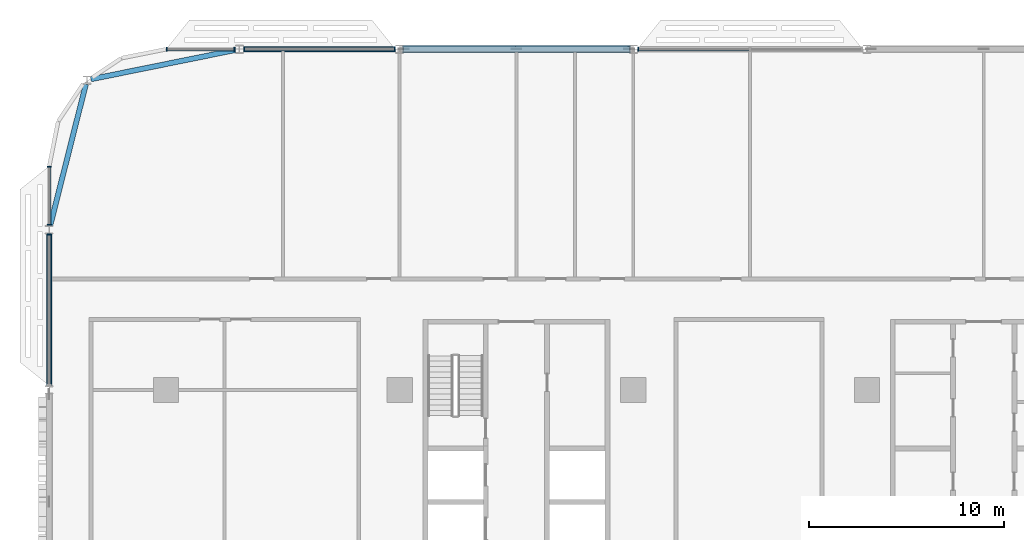
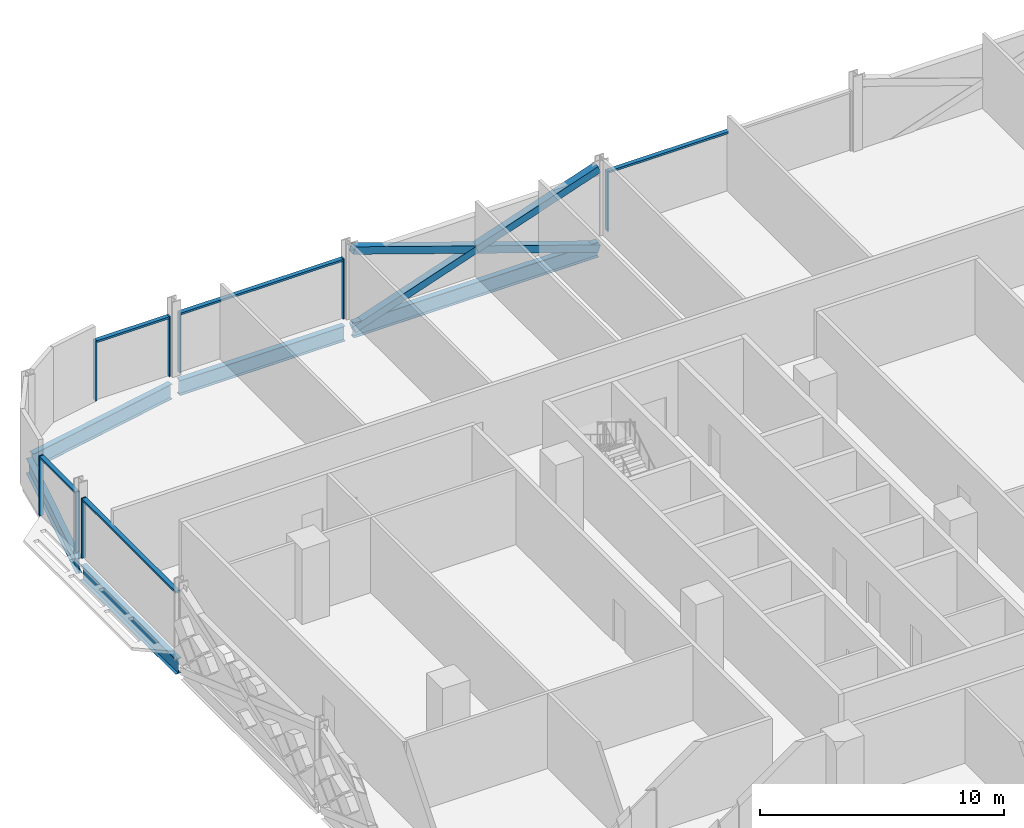
# One storey, part 6 of 29: 16 members, 5 beams, 5 elements without a shape of their own.
"""IFC4 building model written with IfcOpenShell, lengths in metres."""

from ifc_helpers import new_model, si_unit, direction, frame, origin, origin_2d, place, context, subcontext, project, spatial, rectangle, hollow_rectangle, i_section, extrude, material, material_profile, profile_set, type_object, element, aggregate, save


model = new_model("IFC4")

# Units and contexts
model_context = context("Model", 3, precision=1e-05, world=origin(), true_north=direction((0.0, 1.0)))
body_context = subcontext(model_context, "Body", "Model", "MODEL_VIEW")
ifc_project = project(units=[si_unit("LENGTHUNIT", "METRE"), si_unit("AREAUNIT", "SQUARE_METRE"), si_unit("VOLUMEUNIT", "CUBIC_METRE"), si_unit("PLANEANGLEUNIT", "RADIAN"), si_unit("MASSUNIT", "GRAM", prefix="KILO")], contexts=[model_context])

# Site, building, storey
site_placement = place(None, origin())
site = spatial("IfcSite", under=ifc_project, at=site_placement, CompositionType="ELEMENT")
building_placement = place(site_placement, origin())
building = spatial("IfcBuilding", under=site, at=building_placement, Name="Mahtab Terrace Research Tower", CompositionType="ELEMENT")
storey_placement = place(building_placement, frame((0.0, 0.0, 126.10009765625)))
storey = spatial("IfcBuildingStorey", under=building, at=storey_placement, Name="L29", CompositionType="ELEMENT", Elevation=126.10009765625)

# Members
ifc_material_1 = material(Name="Steel ASTM A500 Gr C", Category="steel")
ifc_material_profile_1 = material_profile(ifc_material_1, hollow_rectangle(XDim=0.355712890625, YDim=0.355712890625, WallThickness=0.01904296875, at=origin_2d()), Name="HSS14X14X3/4")
ifc_profile_set_1 = profile_set([ifc_material_profile_1], Name="Steel ASTM A500 Gr C")
member_type_1 = type_object("IfcMemberType", Name="HSS 14x14x3/4 brace XB141434", PredefinedType="BRACE", material=ifc_profile_set_1)
member_1_placement = place(storey_placement, frame((-18.205810546875, 29.0, -0.648193359375), z_axis=(-0.946294377485, 0.0, 0.323306280699), x_axis=(0.0, -1.0, 0.0)))
element("IfcMember", 1, at=member_1_placement, inside=storey, type_object=member_type_1, Name="Exoskeleton brace L29 06 a", PredefinedType="BRACE", context=body_context, shape_type="SweptSolid", body=[
    extrude(hollow_rectangle(XDim=0.355712890625, YDim=0.355712890625, WallThickness=0.01904296875, at=origin_2d()), origin(), (0.0, 0.0, 1.0), 12.24609375),
])
for number, where, z_axis, x_axis, name in (
    (2, (-29.794189453125, 29.0, -0.648193359375), (0.946288278, 0.0, 0.323324132908), (0.0, 1.0, 0.0), "Exoskeleton brace L29 06 b1"),
    (3, (-24.0, 29.0, 1.33154296875), (0.946300476713, 0.0, 0.323288428146), (0.0, 1.0, 0.0), "Exoskeleton brace L29 06 b2"),
):
    element("IfcMember", number, at=place(storey_placement, frame(where, z_axis=z_axis, x_axis=x_axis)), inside=storey, type_object=member_type_1, Name=name, PredefinedType="BRACE", context=body_context, shape_type="SweptSolid", body=[
        extrude(hollow_rectangle(XDim=0.355712890625, YDim=0.355712890625, WallThickness=0.01904296875, at=origin_2d()), origin(), (0.0, 0.0, 1.0), 6.123046875),
    ])

# Curtain wall, member
ifc_material_2 = material(Name="Laboratory ribbon curtain wall")
curtain_wall_type = type_object("IfcCurtainWallType", Name="Laboratory ribbon curtain wall", PredefinedType="NOTDEFINED", material=ifc_material_2)
curtain_wall_1_placement = place(storey_placement, origin())
curtain_wall_1 = element("IfcCurtainWall", 4, at=curtain_wall_1_placement, inside=storey, type_object=curtain_wall_type, Name="EN.L29.3.7", PredefinedType="NOTDEFINED")
ifc_material_3 = material(Name="Natural anodised aluminium", Category="aluminium")
ifc_material_profile_2 = material_profile(ifc_material_3, rectangle(XDim=0.199951171875, YDim=0.06494140625, at=origin_2d()), Name="MULLION 65x200")
ifc_profile_set_2 = profile_set([ifc_material_profile_2], Name="Natural anodised aluminium")
member_type_2 = type_object("IfcMemberType", Name="Laboratory ribbon curtain wall mullion", PredefinedType="MULLION", material=ifc_profile_set_2)
member_2_placement = place(storey_placement, frame((-17.74951171875, 29.0, 0.0), z_axis=(0.0, 0.0, 1.0), x_axis=(0.0, -1.0, 0.0)))
member_2 = element("IfcMember", 5, at=member_2_placement, type_object=member_type_2, Name="CWL-4 mullion 3", PredefinedType="MULLION", context=body_context, shape_type="SweptSolid", body=[
    extrude(rectangle(XDim=0.199951171875, YDim=0.06494140625, at=origin_2d()), origin(), (0.0, 0.0, 1.0), 3.0029296875),
])

# Curtain wall, members
curtain_wall_2_placement = place(storey_placement, origin())
curtain_wall_2 = element("IfcCurtainWall", 6, at=curtain_wall_2_placement, inside=storey, type_object=curtain_wall_type, Name="EN.L29.3.9", PredefinedType="NOTDEFINED")
member_3_placement = place(storey_placement, frame((-30.25048828125, 29.0, 0.0), z_axis=(0.0, 0.0, 1.0), x_axis=(0.0, -1.0, 0.0)))
member_3 = element("IfcMember", 7, at=member_3_placement, type_object=member_type_2, Name="CWL-4 mullion 1", PredefinedType="MULLION", context=body_context, shape_type="SweptSolid", body=[
    extrude(rectangle(XDim=0.199951171875, YDim=0.06494140625, at=origin_2d()), origin(), (0.0, 0.0, 1.0), 3.0029296875),
])
member_4_placement = place(storey_placement, frame((-37.98046875, 29.0, 0.0), z_axis=(0.0, 0.0, 1.0), x_axis=(0.0, -1.0, 0.0)))
member_4 = element("IfcMember", 8, at=member_4_placement, type_object=member_type_2, Name="CWL-4 mullion 2", PredefinedType="MULLION", context=body_context, shape_type="SweptSolid", body=[
    extrude(rectangle(XDim=0.199951171875, YDim=0.06494140625, at=origin_2d()), origin(), (0.0, 0.0, 1.0), 3.0029296875),
])

curtain_wall_3_placement = place(storey_placement, origin())
curtain_wall_3 = element("IfcCurtainWall", 9, at=curtain_wall_3_placement, inside=storey, type_object=curtain_wall_type, Name="EN.L29.3.10", PredefinedType="NOTDEFINED")
member_5_placement = place(storey_placement, frame((-38.4814453125, 29.0, 0.0), z_axis=(0.0, 0.0, 1.0), x_axis=(0.0, -1.0, 0.0)))
member_5 = element("IfcMember", 10, at=member_5_placement, type_object=member_type_2, Name="CWL-4 mullion 1", PredefinedType="MULLION", context=body_context, shape_type="SweptSolid", body=[
    extrude(rectangle(XDim=0.199951171875, YDim=0.06494140625, at=origin_2d()), origin(), (0.0, 0.0, 1.0), 3.0029296875),
])
member_6_placement = place(storey_placement, frame((-41.967529296875, 29.0, 0.0), z_axis=(0.0, 0.0, 1.0), x_axis=(0.0, -1.0, 0.0)))
member_6 = element("IfcMember", 11, at=member_6_placement, type_object=member_type_2, Name="CWL-4 mullion 2", PredefinedType="MULLION", context=body_context, shape_type="SweptSolid", body=[
    extrude(rectangle(XDim=0.199951171875, YDim=0.06494140625, at=origin_2d()), origin(), (0.0, 0.0, 1.0), 3.0029296875),
])

curtain_wall_4_placement = place(storey_placement, origin())
curtain_wall_4 = element("IfcCurtainWall", 12, at=curtain_wall_4_placement, inside=storey, type_object=curtain_wall_type, Name="EN.L29.8.15", PredefinedType="NOTDEFINED")
member_7_placement = place(storey_placement, frame((-48.0, 22.967529296875, 0.0), z_axis=(0.0, 0.0, 1.0), x_axis=(1.0, 0.0, 0.0)))
member_7 = element("IfcMember", 13, at=member_7_placement, type_object=member_type_2, Name="CWL-4 mullion 1", PredefinedType="MULLION", context=body_context, shape_type="SweptSolid", body=[
    extrude(rectangle(XDim=0.199951171875, YDim=0.06494140625, at=origin_2d()), origin(), (0.0, 0.0, 1.0), 3.0029296875),
])
member_8_placement = place(storey_placement, frame((-48.0, 19.9814453125, 0.0), z_axis=(0.0, 0.0, 1.0), x_axis=(1.0, 0.0, 0.0)))
member_8 = element("IfcMember", 14, at=member_8_placement, type_object=member_type_2, Name="CWL-4 mullion 2", PredefinedType="MULLION", context=body_context, shape_type="SweptSolid", body=[
    extrude(rectangle(XDim=0.199951171875, YDim=0.06494140625, at=origin_2d()), origin(), (0.0, 0.0, 1.0), 3.0029296875),
])

# Curtain wall, member
curtain_wall_5_placement = place(storey_placement, origin())
curtain_wall_5 = element("IfcCurtainWall", 15, at=curtain_wall_5_placement, inside=storey, type_object=curtain_wall_type, Name="EN.L29.8.16", PredefinedType="NOTDEFINED")
member_9_placement = place(storey_placement, frame((-48.0, 19.48046875, 0.0), z_axis=(0.0, 0.0, 1.0), x_axis=(1.0, 0.0, 0.0)))
member_9 = element("IfcMember", 16, at=member_9_placement, type_object=member_type_2, Name="CWL-4 mullion 1", PredefinedType="MULLION", context=body_context, shape_type="SweptSolid", body=[
    extrude(rectangle(XDim=0.199951171875, YDim=0.06494140625, at=origin_2d()), origin(), (0.0, 0.0, 1.0), 3.0029296875),
])

# Member
ifc_material_profile_3 = material_profile(ifc_material_3, rectangle(XDim=0.199951171875, YDim=0.10009765625, at=origin_2d()), Name="TRANSOM 100x200")
ifc_profile_set_3 = profile_set([ifc_material_profile_3], Name="Natural anodised aluminium")
member_type_3 = type_object("IfcMemberType", Name="Laboratory ribbon curtain wall transom", PredefinedType="USERDEFINED", material=ifc_profile_set_3)
member_10_placement = place(storey_placement, frame((-12.032470703125, 29.0, 2.952880859375), z_axis=(-1.0, 0.0, 0.0), x_axis=(0.0, -1.0, 0.0)))
member_10 = element("IfcMember", 17, at=member_10_placement, type_object=member_type_3, Name="CWL-4 transom 2", ObjectType="TRANSOM", PredefinedType="USERDEFINED", context=body_context, shape_type="SweptSolid", body=[
    extrude(rectangle(XDim=0.199951171875, YDim=0.10009765625, at=origin_2d()), origin(), (0.0, 0.0, 1.0), 5.6845703125),
])

aggregate(curtain_wall_1, [member_2, member_10])

member_11_placement = place(storey_placement, frame((-30.282958984375, 29.0, 2.952880859375), z_axis=(-1.0, 0.0, 0.0), x_axis=(0.0, -1.0, 0.0)))
member_11 = element("IfcMember", 18, at=member_11_placement, type_object=member_type_3, Name="CWL-4 transom 1", ObjectType="TRANSOM", PredefinedType="USERDEFINED", context=body_context, shape_type="SweptSolid", body=[
    extrude(rectangle(XDim=0.199951171875, YDim=0.10009765625, at=origin_2d()), origin(), (0.0, 0.0, 1.0), 7.6650390625),
])

aggregate(curtain_wall_2, [member_3, member_4, member_11])

member_12_placement = place(storey_placement, frame((-38.513916015625, 29.0, 2.952880859375), z_axis=(-1.0, 0.0, 0.0), x_axis=(0.0, -1.0, 0.0)))
member_12 = element("IfcMember", 19, at=member_12_placement, type_object=member_type_3, Name="CWL-4 transom 1", ObjectType="TRANSOM", PredefinedType="USERDEFINED", context=body_context, shape_type="SweptSolid", body=[
    extrude(rectangle(XDim=0.199951171875, YDim=0.10009765625, at=origin_2d()), origin(), (0.0, 0.0, 1.0), 3.421142578125),
])

aggregate(curtain_wall_3, [member_5, member_6, member_12])

member_13_placement = place(storey_placement, frame((-48.0, 22.93505859375, 2.952880859375), z_axis=(0.0, -1.0, 0.0), x_axis=(1.0, 0.0, 0.0)))
member_13 = element("IfcMember", 20, at=member_13_placement, type_object=member_type_3, Name="CWL-4 transom 1", ObjectType="TRANSOM", PredefinedType="USERDEFINED", context=body_context, shape_type="SweptSolid", body=[
    extrude(rectangle(XDim=0.199951171875, YDim=0.10009765625, at=origin_2d()), origin(), (0.0, 0.0, 1.0), 2.921142578125),
])

aggregate(curtain_wall_4, [member_7, member_8, member_13])

member_14_placement = place(storey_placement, frame((-48.0, 19.447998046875, 2.952880859375), z_axis=(0.0, -1.0, 0.0), x_axis=(1.0, 0.0, 0.0)))
member_14 = element("IfcMember", 21, at=member_14_placement, type_object=member_type_3, Name="CWL-4 transom 1", ObjectType="TRANSOM", PredefinedType="USERDEFINED", context=body_context, shape_type="SweptSolid", body=[
    extrude(rectangle(XDim=0.199951171875, YDim=0.10009765625, at=origin_2d()), origin(), (0.0, 0.0, 1.0), 7.6650390625),
])

aggregate(curtain_wall_5, [member_9, member_14])

# Beams
ifc_material_4 = material(Name="Steel ASTM A992 Gr 50", Category="steel")
ifc_material_profile_4 = material_profile(ifc_material_4, i_section(OverallWidth=0.2666015625, OverallDepth=0.7568359375, WebThickness=0.013916015625, FlangeThickness=0.019287109375, at=origin_2d()), Name="W30X108")
ifc_profile_set_4 = profile_set([ifc_material_profile_4], Name="Steel ASTM A992 Gr 50")
beam_type = type_object("IfcBeamType", Name="W30x108 beam BS30108", PredefinedType="BEAM", material=ifc_profile_set_4)
beam_1_placement = place(storey_placement, frame((-18.205810546875, 29.0, -0.718505859375), z_axis=(-1.0, 0.0, 0.0), x_axis=(0.0, -1.0, 0.0)))
element("IfcBeam", 22, at=beam_1_placement, inside=storey, type_object=beam_type, Name="Spandrel beam L29 06", PredefinedType="BEAM", context=body_context, shape_type="SweptSolid", body=[
    extrude(i_section(OverallWidth=0.2666015625, OverallDepth=0.7568359375, WebThickness=0.013916015625, FlangeThickness=0.019287109375, at=origin_2d()), origin(), (0.0, 0.0, 1.0), 11.58837890625),
])
beam_2_placement = place(storey_placement, frame((-30.205810546875, 29.0, -0.718505859375), z_axis=(-1.0, 0.0, 0.0), x_axis=(0.0, -1.0, 0.0)))
element("IfcBeam", 23, at=beam_2_placement, inside=storey, type_object=beam_type, Name="Spandrel beam L29 07", PredefinedType="BEAM", context=body_context, shape_type="SweptSolid", body=[
    extrude(i_section(OverallWidth=0.2666015625, OverallDepth=0.7568359375, WebThickness=0.013916015625, FlangeThickness=0.019287109375, at=origin_2d()), origin(), (0.0, 0.0, 1.0), 7.8193359375),
])
beam_3_placement = place(storey_placement, frame((-38.436767578125, 28.95849609375, -0.718505859375), z_axis=(-0.980144108674, -0.198286475161, 0.0), x_axis=(0.198286475161, -0.980144108674, 0.0)))
element("IfcBeam", 24, at=beam_3_placement, inside=storey, type_object=beam_type, Name="Spandrel beam L29 08", PredefinedType="BEAM", context=body_context, shape_type="SweptSolid", body=[
    extrude(i_section(OverallWidth=0.2666015625, OverallDepth=0.7568359375, WebThickness=0.013916015625, FlangeThickness=0.019287109375, at=origin_2d()), origin(), (0.0, 0.0, 1.0), 7.56982421875),
])
beam_4_placement = place(storey_placement, frame((-46.11669921875, 27.19873046875, -0.718505859375), z_axis=(-0.244547874366, -0.969637219347, 0.0), x_axis=(0.969637219347, -0.244547874366, 0.0)))
element("IfcBeam", 25, at=beam_4_placement, inside=storey, type_object=beam_type, Name="Spandrel beam L29 09", PredefinedType="BEAM", context=body_context, shape_type="SweptSolid", body=[
    extrude(i_section(OverallWidth=0.2666015625, OverallDepth=0.7568359375, WebThickness=0.013916015625, FlangeThickness=0.019287109375, at=origin_2d()), origin(), (0.0, 0.0, 1.0), 7.4775390625),
])
beam_5_placement = place(storey_placement, frame((-48.0, 19.513916015625, -0.718505859375), z_axis=(0.0, -1.0, 0.0), x_axis=(1.0, 0.0, 0.0)))
element("IfcBeam", 26, at=beam_5_placement, inside=storey, type_object=beam_type, Name="Spandrel beam L29 10", PredefinedType="BEAM", context=body_context, shape_type="SweptSolid", body=[
    extrude(i_section(OverallWidth=0.2666015625, OverallDepth=0.7568359375, WebThickness=0.013916015625, FlangeThickness=0.019287109375, at=origin_2d()), origin(), (0.0, 0.0, 1.0), 7.796875),
])

save(model, "model.ifc")
